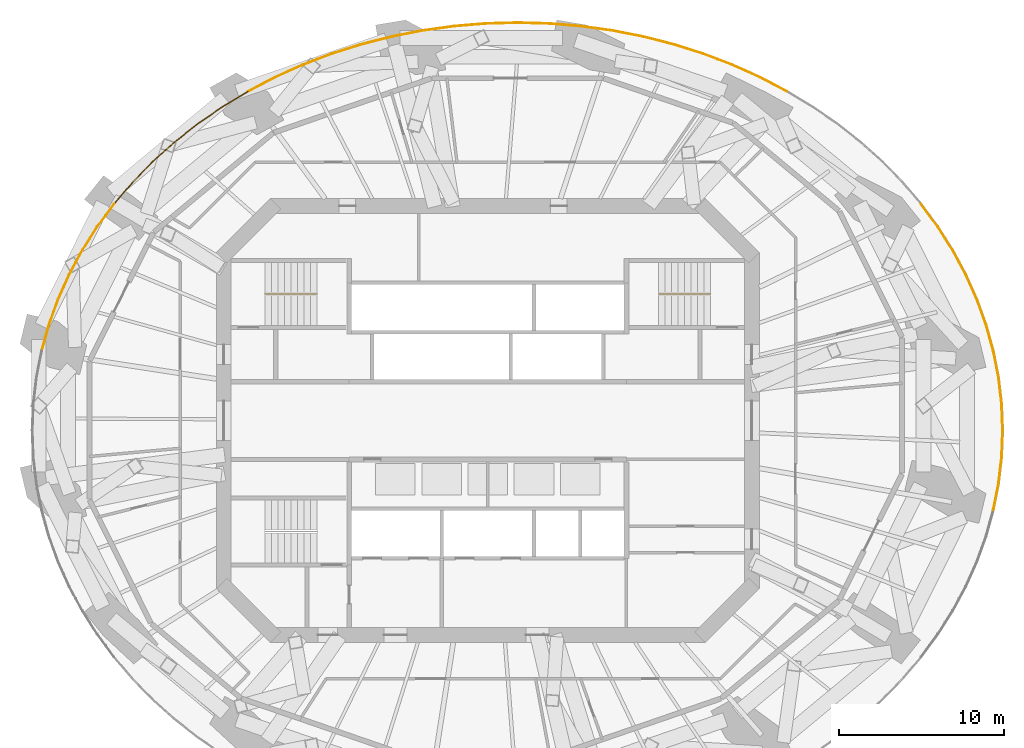
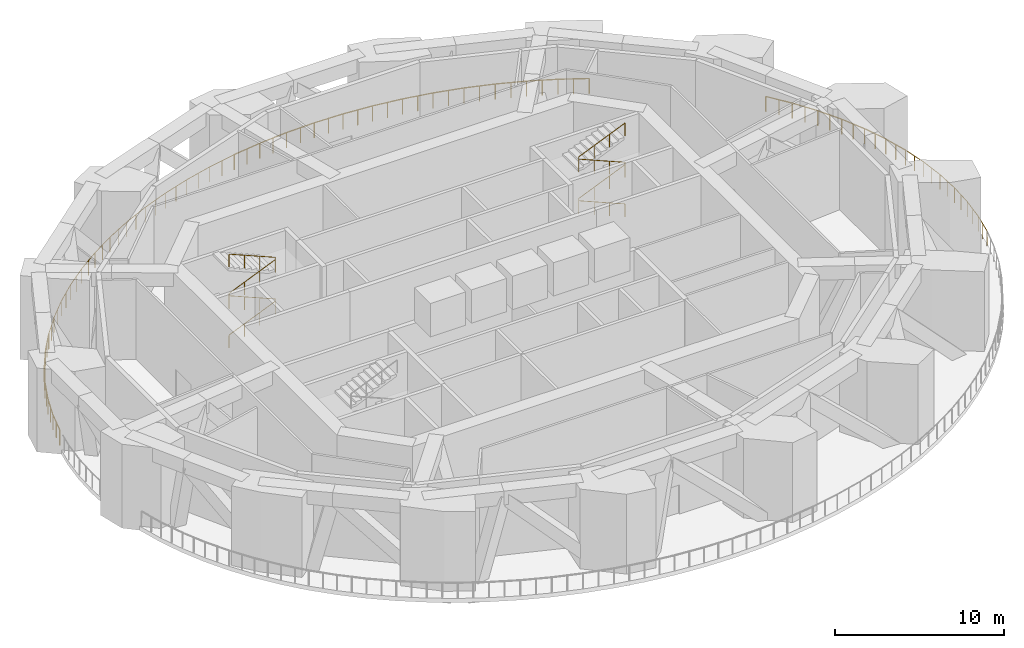
# One storey, part 9 of 11: 9 railings.
"""IFC4 building model written with IfcOpenShell, lengths in metres."""

from ifc_helpers import new_model, si_unit, direction, frame, origin, origin_2d, place, context, subcontext, project, spatial, circle, extrude, material, type_object, element, save


model = new_model("IFC4")

# Units and contexts
model_context = context("Model", 3, precision=1e-05, world=origin(), true_north=direction((0.0, 1.0)))
body_context = subcontext(model_context, "Body", "Model", "MODEL_VIEW")
ifc_project = project(units=[si_unit("LENGTHUNIT", "METRE"), si_unit("AREAUNIT", "SQUARE_METRE"), si_unit("VOLUMEUNIT", "CUBIC_METRE"), si_unit("PLANEANGLEUNIT", "RADIAN"), si_unit("MASSUNIT", "GRAM", prefix="KILO")], contexts=[model_context])

# Site, building, storey
site_placement = place(None, origin())
site = spatial("IfcSite", under=ifc_project, at=site_placement, CompositionType="ELEMENT")
building_placement = place(site_placement, origin())
building = spatial("IfcBuilding", under=site, at=building_placement, Name="Marenthal Gate Tower", CompositionType="ELEMENT")
storey_placement = place(building_placement, frame((0.0, 0.0, 273.10009765625)))
storey = spatial("IfcBuildingStorey", under=building, at=storey_placement, Name="L61", CompositionType="ELEMENT", Elevation=273.10009765625)

# Railings
ifc_material_1 = material(Name="Stainless steel", Category="steel")
railing_type_1 = type_object("IfcRailingType", Name="Balcony guard 1100", PredefinedType="GUARDRAIL", material=ifc_material_1)
railing_1_placement = place(storey_placement, frame((30.63671875, 4.217529296875, 0.0)))
element("IfcRailing", 1, at=railing_1_placement, inside=storey, type_object=railing_type_1, Name="Refuge band guard L61 bay 1", PredefinedType="GUARDRAIL", context=body_context, shape_type="SweptSolid", body=[
    extrude(circle(Radius=0.02392578125, at=origin_2d()), frame((0.0, 0.0, 1.076171875), z_axis=(-0.267289180293, 0.963616362511, 0.0), x_axis=(-0.963616362511, -0.267289180293, 0.0)), (0.0, 0.0, 1.0), 1.633056640625),
    extrude(circle(Radius=0.02392578125, at=origin_2d()), frame((-0.4365234375, 1.57373046875, 1.076171875), z_axis=(-0.339297797006, 0.940679012707, 0.0), x_axis=(-0.940679012707, -0.339297797006, 0.0)), (0.0, 0.0, 1.0), 1.64404296875),
    extrude(circle(Radius=0.02392578125, at=origin_2d()), frame((-0.994384765625, 3.120361328125, 1.076171875), z_axis=(-0.408624443933, 0.912702615215, 0.0), x_axis=(-0.912702615215, -0.408624443933, 0.0)), (0.0, 0.0, 1.0), 1.657470703125),
    extrude(circle(Radius=0.02392578125, at=origin_2d()), frame((-1.671630859375, 4.633056640625, 1.076171875), z_axis=(-0.474387041335, 0.880316383474, 0.0), x_axis=(-0.880316383474, -0.474387041335, 0.0)), (0.0, 0.0, 1.0), 1.672607421875),
    extrude(circle(Radius=0.02392578125, at=origin_2d()), frame((-2.465087890625, 6.10546875, 1.076171875), z_axis=(-0.536426580588, 0.843946991012, 0.0), x_axis=(-0.843946991012, -0.536426580588, 0.0)), (0.0, 0.0, 1.0), 1.689453125),
    extrude(circle(Radius=0.02392578125, at=origin_2d()), frame((-3.371337890625, 7.53125, 1.076171875), z_axis=(-0.594588012237, 0.804030531575, 0.0), x_axis=(-0.804030531575, -0.594588012237, 0.0)), (0.0, 0.0, 1.0), 1.707763671875),
    extrude(circle(Radius=0.02099609375, at=origin_2d()), origin(), (0.0, 0.0, 1.0), 1.052001953125),
    extrude(circle(Radius=0.02099609375, at=origin_2d()), frame((-0.21826171875, 0.786865234375, 0.0)), (0.0, 0.0, 1.0), 1.052001953125),
    extrude(circle(Radius=0.02099609375, at=origin_2d()), frame((-0.4365234375, 1.57373046875, 0.0)), (0.0, 0.0, 1.0), 1.052001953125),
    extrude(circle(Radius=0.02099609375, at=origin_2d()), frame((-0.71533203125, 2.34716796875, 0.0)), (0.0, 0.0, 1.0), 1.052001953125),
    extrude(circle(Radius=0.02099609375, at=origin_2d()), frame((-0.994384765625, 3.120361328125, 0.0)), (0.0, 0.0, 1.0), 1.052001953125),
    extrude(circle(Radius=0.02099609375, at=origin_2d()), frame((-1.3330078125, 3.876708984375, 0.0)), (0.0, 0.0, 1.0), 1.052001953125),
    extrude(circle(Radius=0.02099609375, at=origin_2d()), frame((-1.671630859375, 4.633056640625, 0.0)), (0.0, 0.0, 1.0), 1.052001953125),
    extrude(circle(Radius=0.02099609375, at=origin_2d()), frame((-2.068359375, 5.369140625, 0.0)), (0.0, 0.0, 1.0), 1.052001953125),
    extrude(circle(Radius=0.02099609375, at=origin_2d()), frame((-2.465087890625, 6.10546875, 0.0)), (0.0, 0.0, 1.0), 1.052001953125),
    extrude(circle(Radius=0.02099609375, at=origin_2d()), frame((-2.918212890625, 6.818359375, 0.0)), (0.0, 0.0, 1.0), 1.052001953125),
    extrude(circle(Radius=0.02099609375, at=origin_2d()), frame((-3.371337890625, 7.53125, 0.0)), (0.0, 0.0, 1.0), 1.052001953125),
    extrude(circle(Radius=0.02099609375, at=origin_2d()), frame((-3.87890625, 8.2177734375, 0.0)), (0.0, 0.0, 1.0), 1.052001953125),
    extrude(circle(Radius=0.02099609375, at=origin_2d()), frame((-4.38671875, 8.904296875, 0.0)), (0.0, 0.0, 1.0), 1.052001953125),
])
railing_2_placement = place(storey_placement, frame((18.1396484375, 19.940673828125, 0.0)))
element("IfcRailing", 2, at=railing_2_placement, inside=storey, type_object=railing_type_1, Name="Refuge band guard L61 bay 3", PredefinedType="GUARDRAIL", context=body_context, shape_type="SweptSolid", body=[
    extrude(circle(Radius=0.02392578125, at=origin_2d()), frame((0.0, 0.0, 1.076171875), z_axis=(-0.886204440457, 0.463294387742, 0.0), x_axis=(-0.463294387742, -0.886204440457, 0.0)), (0.0, 0.0, 1.0), 1.84375),
    extrude(circle(Radius=0.02392578125, at=origin_2d()), frame((-1.634033203125, 0.854248046875, 1.076171875), z_axis=(-0.912088359381, 0.409993688588, 0.0), x_axis=(-0.409993688588, -0.912088359381, 0.0)), (0.0, 0.0, 1.0), 1.86083984375),
    extrude(circle(Radius=0.02392578125, at=origin_2d()), frame((-3.331298828125, 1.6171875, 1.076171875), z_axis=(-0.93448154855, 0.356011566414, 0.0), x_axis=(-0.356011566414, -0.93448154855, 0.0)), (0.0, 0.0, 1.0), 1.87548828125),
    extrude(circle(Radius=0.02392578125, at=origin_2d()), frame((-5.083984375, 2.284912109375, 1.076171875), z_axis=(-0.95339303901, 0.30173119356, 0.0), x_axis=(-0.30173119356, -0.95339303901, 0.0)), (0.0, 0.0, 1.0), 1.889404296875),
    extrude(circle(Radius=0.02392578125, at=origin_2d()), frame((-6.88525390625, 2.85498046875, 1.076171875), z_axis=(-0.968983181571, 0.247126675682, 0.0), x_axis=(-0.247126675682, -0.968983181571, 0.0)), (0.0, 0.0, 1.0), 1.900634765625),
    extrude(circle(Radius=0.02392578125, at=origin_2d()), frame((-8.72705078125, 3.32470703125, 1.076171875), z_axis=(-0.981320847829, 0.192378256608, 0.0), x_axis=(-0.192378256608, -0.981320847829, 0.0)), (0.0, 0.0, 1.0), 1.909912109375),
    extrude(circle(Radius=0.02099609375, at=origin_2d()), origin(), (0.0, 0.0, 1.0), 1.052001953125),
    extrude(circle(Radius=0.02099609375, at=origin_2d()), frame((-0.81689453125, 0.42724609375, 0.0)), (0.0, 0.0, 1.0), 1.052001953125),
    extrude(circle(Radius=0.02099609375, at=origin_2d()), frame((-1.634033203125, 0.854248046875, 0.0)), (0.0, 0.0, 1.0), 1.052001953125),
    extrude(circle(Radius=0.02099609375, at=origin_2d()), frame((-2.482666015625, 1.23583984375, 0.0)), (0.0, 0.0, 1.0), 1.052001953125),
    extrude(circle(Radius=0.02099609375, at=origin_2d()), frame((-3.331298828125, 1.6171875, 0.0)), (0.0, 0.0, 1.0), 1.052001953125),
    extrude(circle(Radius=0.02099609375, at=origin_2d()), frame((-4.20751953125, 1.951171875, 0.0)), (0.0, 0.0, 1.0), 1.052001953125),
    extrude(circle(Radius=0.02099609375, at=origin_2d()), frame((-5.083984375, 2.284912109375, 0.0)), (0.0, 0.0, 1.0), 1.052001953125),
    extrude(circle(Radius=0.02099609375, at=origin_2d()), frame((-5.984619140625, 2.56982421875, 0.0)), (0.0, 0.0, 1.0), 1.052001953125),
    extrude(circle(Radius=0.02099609375, at=origin_2d()), frame((-6.88525390625, 2.85498046875, 0.0)), (0.0, 0.0, 1.0), 1.052001953125),
    extrude(circle(Radius=0.02099609375, at=origin_2d()), frame((-7.80615234375, 3.08984375, 0.0)), (0.0, 0.0, 1.0), 1.052001953125),
    extrude(circle(Radius=0.02099609375, at=origin_2d()), frame((-8.72705078125, 3.32470703125, 0.0)), (0.0, 0.0, 1.0), 1.052001953125),
    extrude(circle(Radius=0.02099609375, at=origin_2d()), frame((-9.6640625, 3.50830078125, 0.0)), (0.0, 0.0, 1.0), 1.052001953125),
    extrude(circle(Radius=0.02099609375, at=origin_2d()), frame((-10.601318359375, 3.692138671875, 0.0)), (0.0, 0.0, 1.0), 1.052001953125),
])
railing_3_placement = place(storey_placement, frame((7.538330078125, 23.6328125, 0.0)))
element("IfcRailing", 3, at=railing_3_placement, inside=storey, type_object=railing_type_1, Name="Refuge band guard L61 bay 4", PredefinedType="GUARDRAIL", context=body_context, shape_type="SweptSolid", body=[
    extrude(circle(Radius=0.02392578125, at=origin_2d()), frame((0.0, 0.0, 1.076171875), z_axis=(-0.990499500988, 0.137516321001, 0.0), x_axis=(-0.137516321001, -0.990499500988, 0.0)), (0.0, 0.0, 1.0), 1.91748046875),
    extrude(circle(Radius=0.02392578125, at=origin_2d()), frame((-1.899169921875, 0.263671875, 1.076171875), z_axis=(-0.996596379607, 0.082435769866, 0.0), x_axis=(-0.082435769866, -0.996596379607, 0.0)), (0.0, 0.0, 1.0), 1.922119140625),
    extrude(circle(Radius=0.02392578125, at=origin_2d()), frame((-3.814697265625, 0.422119140625, 1.076171875), z_axis=(-0.999620946697, 0.027531126467, 0.0), x_axis=(-0.027531126467, -0.999620946697, 0.0)), (0.0, 0.0, 1.0), 1.92431640625),
    extrude(circle(Radius=0.02392578125, at=origin_2d()), frame((-5.73828125, 0.47509765625, 1.076171875), z_axis=(-0.999621042843, -0.027527635317, 0.0), x_axis=(0.027527635317, -0.999621042843, 0.0)), (0.0, 0.0, 1.0), 1.924560546875),
    extrude(circle(Radius=0.02392578125, at=origin_2d()), frame((-7.662109375, 0.422119140625, 1.076171875), z_axis=(-0.996596379607, -0.082435769866, 0.0), x_axis=(0.082435769866, -0.996596379607, 0.0)), (0.0, 0.0, 1.0), 1.922119140625),
    extrude(circle(Radius=0.02392578125, at=origin_2d()), frame((-9.57763671875, 0.263671875, 1.076171875), z_axis=(-0.99049709263, -0.137533666758, 0.0), x_axis=(0.137533666758, -0.99049709263, 0.0)), (0.0, 0.0, 1.0), 1.917236328125),
    extrude(circle(Radius=0.02099609375, at=origin_2d()), origin(), (0.0, 0.0, 1.0), 1.052001953125),
    extrude(circle(Radius=0.02099609375, at=origin_2d()), frame((-0.94970703125, 0.1318359375, 0.0)), (0.0, 0.0, 1.0), 1.052001953125),
    extrude(circle(Radius=0.02099609375, at=origin_2d()), frame((-1.899169921875, 0.263671875, 0.0)), (0.0, 0.0, 1.0), 1.052001953125),
    extrude(circle(Radius=0.02099609375, at=origin_2d()), frame((-2.85693359375, 0.3427734375, 0.0)), (0.0, 0.0, 1.0), 1.052001953125),
    extrude(circle(Radius=0.02099609375, at=origin_2d()), frame((-3.814697265625, 0.422119140625, 0.0)), (0.0, 0.0, 1.0), 1.052001953125),
    extrude(circle(Radius=0.02099609375, at=origin_2d()), frame((-4.7763671875, 0.44873046875, 0.0)), (0.0, 0.0, 1.0), 1.052001953125),
    extrude(circle(Radius=0.02099609375, at=origin_2d()), frame((-5.73828125, 0.47509765625, 0.0)), (0.0, 0.0, 1.0), 1.052001953125),
    extrude(circle(Radius=0.02099609375, at=origin_2d()), frame((-6.7001953125, 0.44873046875, 0.0)), (0.0, 0.0, 1.0), 1.052001953125),
    extrude(circle(Radius=0.02099609375, at=origin_2d()), frame((-7.662109375, 0.422119140625, 0.0)), (0.0, 0.0, 1.0), 1.052001953125),
    extrude(circle(Radius=0.02099609375, at=origin_2d()), frame((-8.619873046875, 0.3427734375, 0.0)), (0.0, 0.0, 1.0), 1.052001953125),
    extrude(circle(Radius=0.02099609375, at=origin_2d()), frame((-9.57763671875, 0.263671875, 0.0)), (0.0, 0.0, 1.0), 1.052001953125),
    extrude(circle(Radius=0.02099609375, at=origin_2d()), frame((-10.527099609375, 0.1318359375, 0.0)), (0.0, 0.0, 1.0), 1.052001953125),
    extrude(circle(Radius=0.02099609375, at=origin_2d()), frame((-11.4765625, 0.0, 0.0)), (0.0, 0.0, 1.0), 1.052001953125),
])
railing_4_placement = place(storey_placement, frame((-3.938232421875, 23.6328125, 0.0)))
element("IfcRailing", 4, at=railing_4_placement, inside=storey, type_object=railing_type_1, Name="Refuge band guard L61 bay 5", PredefinedType="GUARDRAIL", context=body_context, shape_type="SweptSolid", body=[
    extrude(circle(Radius=0.02392578125, at=origin_2d()), frame((0.0, 0.0, 1.076171875), z_axis=(-0.981320847829, -0.192378256608, 0.0), x_axis=(0.192378256608, -0.981320847829, 0.0)), (0.0, 0.0, 1.0), 1.909912109375),
    extrude(circle(Radius=0.02392578125, at=origin_2d()), frame((-1.874267578125, -0.367431640625, 1.076171875), z_axis=(-0.968991024399, -0.247095921928, 0.0), x_axis=(0.247095921928, -0.968991024399, 0.0)), (0.0, 0.0, 1.0), 1.90087890625),
    extrude(circle(Radius=0.02392578125, at=origin_2d()), frame((-3.71630859375, -0.837158203125, 1.076171875), z_axis=(-0.953381272328, -0.301768370731, 0.0), x_axis=(0.301768370731, -0.953381272328, 0.0)), (0.0, 0.0, 1.0), 1.88916015625),
    extrude(circle(Radius=0.02392578125, at=origin_2d()), frame((-5.517333984375, -1.4072265625, 1.076171875), z_axis=(-0.93449804368, -0.355968265942, 0.0), x_axis=(0.355968265942, -0.93449804368, 0.0)), (0.0, 0.0, 1.0), 1.875732421875),
    extrude(circle(Radius=0.02392578125, at=origin_2d()), frame((-7.270263671875, -2.074951171875, 1.076171875), z_axis=(-0.91206630172, -0.410042755413, 0.0), x_axis=(0.410042755413, -0.91206630172, 0.0)), (0.0, 0.0, 1.0), 1.860595703125),
    extrude(circle(Radius=0.02392578125, at=origin_2d()), frame((-8.96728515625, -2.837890625, 1.076171875), z_axis=(-0.886204440457, -0.463294387742, 0.0), x_axis=(0.463294387742, -0.886204440457, 0.0)), (0.0, 0.0, 1.0), 1.84375),
    extrude(circle(Radius=0.02099609375, at=origin_2d()), origin(), (0.0, 0.0, 1.0), 1.052001953125),
    extrude(circle(Radius=0.02099609375, at=origin_2d()), frame((-0.93701171875, -0.18359375, 0.0)), (0.0, 0.0, 1.0), 1.052001953125),
    extrude(circle(Radius=0.02099609375, at=origin_2d()), frame((-1.874267578125, -0.367431640625, 0.0)), (0.0, 0.0, 1.0), 1.052001953125),
    extrude(circle(Radius=0.02099609375, at=origin_2d()), frame((-2.79541015625, -0.602294921875, 0.0)), (0.0, 0.0, 1.0), 1.052001953125),
    extrude(circle(Radius=0.02099609375, at=origin_2d()), frame((-3.71630859375, -0.837158203125, 0.0)), (0.0, 0.0, 1.0), 1.052001953125),
    extrude(circle(Radius=0.02099609375, at=origin_2d()), frame((-4.61669921875, -1.1220703125, 0.0)), (0.0, 0.0, 1.0), 1.052001953125),
    extrude(circle(Radius=0.02099609375, at=origin_2d()), frame((-5.517333984375, -1.4072265625, 0.0)), (0.0, 0.0, 1.0), 1.052001953125),
    extrude(circle(Radius=0.02099609375, at=origin_2d()), frame((-6.393798828125, -1.7412109375, 0.0)), (0.0, 0.0, 1.0), 1.052001953125),
    extrude(circle(Radius=0.02099609375, at=origin_2d()), frame((-7.270263671875, -2.074951171875, 0.0)), (0.0, 0.0, 1.0), 1.052001953125),
    extrude(circle(Radius=0.02099609375, at=origin_2d()), frame((-8.11865234375, -2.45654296875, 0.0)), (0.0, 0.0, 1.0), 1.052001953125),
    extrude(circle(Radius=0.02099609375, at=origin_2d()), frame((-8.96728515625, -2.837890625, 0.0)), (0.0, 0.0, 1.0), 1.052001953125),
    extrude(circle(Radius=0.02099609375, at=origin_2d()), frame((-9.7841796875, -3.26513671875, 0.0)), (0.0, 0.0, 1.0), 1.052001953125),
    extrude(circle(Radius=0.02099609375, at=origin_2d()), frame((-10.601318359375, -3.692138671875, 0.0)), (0.0, 0.0, 1.0), 1.052001953125),
])
railing_5_placement = place(storey_placement, frame((-14.53955078125, 19.940673828125, 0.0)))
element("IfcRailing", 5, at=railing_5_placement, inside=storey, type_object=railing_type_1, Name="Refuge band guard L61 bay 6", PredefinedType="GUARDRAIL", context=body_context, shape_type="SweptSolid", body=[
    extrude(circle(Radius=0.02392578125, at=origin_2d()), frame((0.0, 0.0, 1.076171875), z_axis=(-0.856524003828, -0.516107189319, 0.0), x_axis=(0.516107189319, -0.856524003828, 0.0)), (0.0, 0.0, 1.0), 1.825927734375),
    extrude(circle(Radius=0.02392578125, at=origin_2d()), frame((-1.56396484375, -0.9423828125, 1.076171875), z_axis=(-0.82311043045, -0.56788134261, 0.0), x_axis=(0.56788134261, -0.82311043045, 0.0)), (0.0, 0.0, 1.0), 1.806884765625),
    extrude(circle(Radius=0.02392578125, at=origin_2d()), frame((-3.05126953125, -1.968505859375, 1.076171875), z_axis=(-0.785578204903, -0.618762380871, 0.0), x_axis=(0.618762380871, -0.785578204903, 0.0)), (0.0, 0.0, 1.0), 1.786865234375),
    extrude(circle(Radius=0.02392578125, at=origin_2d()), frame((-4.455078125, -3.07421875, 1.076171875), z_axis=(-0.744145420954, -0.668017658803, 0.0), x_axis=(0.668017658803, -0.744145420954, 0.0)), (0.0, 0.0, 1.0), 1.76708984375),
    extrude(circle(Radius=0.02392578125, at=origin_2d()), frame((-5.77001953125, -4.254638671875, 1.076171875), z_axis=(-0.698529909083, -0.715580859244, 0.0), x_axis=(0.715580859244, -0.698529909083, 0.0)), (0.0, 0.0, 1.0), 1.746826171875),
    extrude(circle(Radius=0.02392578125, at=origin_2d()), frame((-6.990234375, -5.504638671875, 1.076171875), z_axis=(-0.648669742199, -0.76107001357, 0.0), x_axis=(0.76107001357, -0.648669742199, 0.0)), (0.0, 0.0, 1.0), 1.726806640625),
    extrude(circle(Radius=0.02099609375, at=origin_2d()), origin(), (0.0, 0.0, 1.0), 1.052001953125),
    extrude(circle(Radius=0.02099609375, at=origin_2d()), frame((-0.781982421875, -0.47119140625, 0.0)), (0.0, 0.0, 1.0), 1.052001953125),
    extrude(circle(Radius=0.02099609375, at=origin_2d()), frame((-1.56396484375, -0.9423828125, 0.0)), (0.0, 0.0, 1.0), 1.052001953125),
    extrude(circle(Radius=0.02099609375, at=origin_2d()), frame((-2.3076171875, -1.45556640625, 0.0)), (0.0, 0.0, 1.0), 1.052001953125),
    extrude(circle(Radius=0.02099609375, at=origin_2d()), frame((-3.05126953125, -1.968505859375, 0.0)), (0.0, 0.0, 1.0), 1.052001953125),
    extrude(circle(Radius=0.02099609375, at=origin_2d()), frame((-3.753173828125, -2.521484375, 0.0)), (0.0, 0.0, 1.0), 1.052001953125),
    extrude(circle(Radius=0.02099609375, at=origin_2d()), frame((-4.455078125, -3.07421875, 0.0)), (0.0, 0.0, 1.0), 1.052001953125),
    extrude(circle(Radius=0.02099609375, at=origin_2d()), frame((-5.112548828125, -3.66455078125, 0.0)), (0.0, 0.0, 1.0), 1.052001953125),
    extrude(circle(Radius=0.02099609375, at=origin_2d()), frame((-5.77001953125, -4.254638671875, 0.0)), (0.0, 0.0, 1.0), 1.052001953125),
    extrude(circle(Radius=0.02099609375, at=origin_2d()), frame((-6.380126953125, -4.879638671875, 0.0)), (0.0, 0.0, 1.0), 1.052001953125),
    extrude(circle(Radius=0.02099609375, at=origin_2d()), frame((-6.990234375, -5.504638671875, 0.0)), (0.0, 0.0, 1.0), 1.052001953125),
    extrude(circle(Radius=0.02099609375, at=origin_2d()), frame((-7.55029296875, -6.16162109375, 0.0)), (0.0, 0.0, 1.0), 1.052001953125),
    extrude(circle(Radius=0.02099609375, at=origin_2d()), frame((-8.1103515625, -6.81884765625, 0.0)), (0.0, 0.0, 1.0), 1.052001953125),
])
railing_6_placement = place(storey_placement, frame((-22.64990234375, 13.121826171875, 0.0)))
element("IfcRailing", 6, at=railing_6_placement, inside=storey, type_object=railing_type_1, Name="Refuge band guard L61 bay 7", PredefinedType="GUARDRAIL", context=body_context, shape_type="SweptSolid", body=[
    extrude(circle(Radius=0.02392578125, at=origin_2d()), frame((0.0, 0.0, 1.076171875), z_axis=(-0.594588012237, -0.804030531575, 0.0), x_axis=(0.804030531575, -0.594588012237, 0.0)), (0.0, 0.0, 1.0), 1.707763671875),
    extrude(circle(Radius=0.02392578125, at=origin_2d()), frame((-1.015380859375, -1.373046875, 1.076171875), z_axis=(-0.536529496413, -0.843881567211, 0.0), x_axis=(0.843881567211, -0.536529496413, 0.0)), (0.0, 0.0, 1.0), 1.689453125),
    extrude(circle(Radius=0.02392578125, at=origin_2d()), frame((-1.921875, -2.798828125, 1.076171875), z_axis=(-0.474387041335, -0.880316383474, 0.0), x_axis=(0.880316383474, -0.474387041335, 0.0)), (0.0, 0.0, 1.0), 1.672607421875),
    extrude(circle(Radius=0.02392578125, at=origin_2d()), frame((-2.71533203125, -4.271240234375, 1.076171875), z_axis=(-0.408501723837, -0.912757548105, 0.0), x_axis=(0.912757548105, -0.408501723837, 0.0)), (0.0, 0.0, 1.0), 1.6572265625),
    extrude(circle(Radius=0.02392578125, at=origin_2d()), frame((-3.392333984375, -5.783935546875, 1.076171875), z_axis=(-0.339429181745, -0.940631612578, 0.0), x_axis=(0.940631612578, -0.339429181745, 0.0)), (0.0, 0.0, 1.0), 1.644287109375),
    extrude(circle(Radius=0.02392578125, at=origin_2d()), frame((-3.950439453125, -7.33056640625, 1.076171875), z_axis=(-0.267150361513, -0.963654857479, 0.0), x_axis=(0.963654857479, -0.267150361513, 0.0)), (0.0, 0.0, 1.0), 1.633056640625),
    extrude(circle(Radius=0.02099609375, at=origin_2d()), origin(), (0.0, 0.0, 1.0), 1.052001953125),
    extrude(circle(Radius=0.02099609375, at=origin_2d()), frame((-0.5078125, -0.6865234375, 0.0)), (0.0, 0.0, 1.0), 1.052001953125),
    extrude(circle(Radius=0.02099609375, at=origin_2d()), frame((-1.015380859375, -1.373046875, 0.0)), (0.0, 0.0, 1.0), 1.052001953125),
    extrude(circle(Radius=0.02099609375, at=origin_2d()), frame((-1.46875, -2.0859375, 0.0)), (0.0, 0.0, 1.0), 1.052001953125),
    extrude(circle(Radius=0.02099609375, at=origin_2d()), frame((-1.921875, -2.798828125, 0.0)), (0.0, 0.0, 1.0), 1.052001953125),
    extrude(circle(Radius=0.02099609375, at=origin_2d()), frame((-2.318603515625, -3.53515625, 0.0)), (0.0, 0.0, 1.0), 1.052001953125),
    extrude(circle(Radius=0.02099609375, at=origin_2d()), frame((-2.71533203125, -4.271240234375, 0.0)), (0.0, 0.0, 1.0), 1.052001953125),
    extrude(circle(Radius=0.02099609375, at=origin_2d()), frame((-3.0537109375, -5.027587890625, 0.0)), (0.0, 0.0, 1.0), 1.052001953125),
    extrude(circle(Radius=0.02099609375, at=origin_2d()), frame((-3.392333984375, -5.783935546875, 0.0)), (0.0, 0.0, 1.0), 1.052001953125),
    extrude(circle(Radius=0.02099609375, at=origin_2d()), frame((-3.67138671875, -6.55712890625, 0.0)), (0.0, 0.0, 1.0), 1.052001953125),
    extrude(circle(Radius=0.02099609375, at=origin_2d()), frame((-3.950439453125, -7.33056640625, 0.0)), (0.0, 0.0, 1.0), 1.052001953125),
    extrude(circle(Radius=0.02099609375, at=origin_2d()), frame((-4.16845703125, -8.117431640625, 0.0)), (0.0, 0.0, 1.0), 1.052001953125),
    extrude(circle(Radius=0.02099609375, at=origin_2d()), frame((-4.38671875, -8.904296875, 0.0)), (0.0, 0.0, 1.0), 1.052001953125),
])
railing_7_placement = place(storey_placement, frame((30.63671875, -5.41748046875, 0.0)))
element("IfcRailing", 7, at=railing_7_placement, inside=storey, type_object=railing_type_1, Name="Refuge band guard L61 bay 16", PredefinedType="GUARDRAIL", context=body_context, shape_type="SweptSolid", body=[
    extrude(circle(Radius=0.02392578125, at=origin_2d()), frame((0.0, 0.0, 1.076171875), z_axis=(0.19264712186, 0.981268101203, 0.0), x_axis=(-0.981268101203, 0.19264712186, 0.0)), (0.0, 0.0, 1.0), 1.624755859375),
    extrude(circle(Radius=0.02392578125, at=origin_2d()), frame((0.31298828125, 1.59423828125, 1.076171875), z_axis=(0.116403813638, 0.993201969476, 0.0), x_axis=(-0.993201969476, 0.116403813638, 0.0)), (0.0, 0.0, 1.0), 1.619140625),
    extrude(circle(Radius=0.02392578125, at=origin_2d()), frame((0.50146484375, 3.202392578125, 1.076171875), z_axis=(0.038821808074, 0.999246149464, 0.0), x_axis=(-0.999246149464, 0.038821808074, 0.0)), (0.0, 0.0, 1.0), 1.6162109375),
    extrude(circle(Radius=0.02392578125, at=origin_2d()), frame((0.564208984375, 4.8173828125, 1.076171875), z_axis=(-0.038821808074, 0.999246149464, 0.0), x_axis=(-0.999246149464, -0.038821808074, 0.0)), (0.0, 0.0, 1.0), 1.6162109375),
    extrude(circle(Radius=0.02392578125, at=origin_2d()), frame((0.50146484375, 6.432373046875, 1.076171875), z_axis=(-0.116403813638, 0.993201969476, 0.0), x_axis=(-0.993201969476, -0.116403813638, 0.0)), (0.0, 0.0, 1.0), 1.619140625),
    extrude(circle(Radius=0.02392578125, at=origin_2d()), frame((0.31298828125, 8.04052734375, 1.076171875), z_axis=(-0.192618719011, 0.981273676956, 0.0), x_axis=(-0.981273676956, -0.192618719011, 0.0)), (0.0, 0.0, 1.0), 1.625),
    extrude(circle(Radius=0.02099609375, at=origin_2d()), origin(), (0.0, 0.0, 1.0), 1.052001953125),
    extrude(circle(Radius=0.02099609375, at=origin_2d()), frame((0.156494140625, 0.797119140625, 0.0)), (0.0, 0.0, 1.0), 1.052001953125),
    extrude(circle(Radius=0.02099609375, at=origin_2d()), frame((0.31298828125, 1.59423828125, 0.0)), (0.0, 0.0, 1.0), 1.052001953125),
    extrude(circle(Radius=0.02099609375, at=origin_2d()), frame((0.4072265625, 2.3984375, 0.0)), (0.0, 0.0, 1.0), 1.052001953125),
    extrude(circle(Radius=0.02099609375, at=origin_2d()), frame((0.50146484375, 3.202392578125, 0.0)), (0.0, 0.0, 1.0), 1.052001953125),
    extrude(circle(Radius=0.02099609375, at=origin_2d()), frame((0.53271484375, 4.009765625, 0.0)), (0.0, 0.0, 1.0), 1.052001953125),
    extrude(circle(Radius=0.02099609375, at=origin_2d()), frame((0.564208984375, 4.8173828125, 0.0)), (0.0, 0.0, 1.0), 1.052001953125),
    extrude(circle(Radius=0.02099609375, at=origin_2d()), frame((0.53271484375, 5.625, 0.0)), (0.0, 0.0, 1.0), 1.052001953125),
    extrude(circle(Radius=0.02099609375, at=origin_2d()), frame((0.50146484375, 6.432373046875, 0.0)), (0.0, 0.0, 1.0), 1.052001953125),
    extrude(circle(Radius=0.02099609375, at=origin_2d()), frame((0.4072265625, 7.236328125, 0.0)), (0.0, 0.0, 1.0), 1.052001953125),
    extrude(circle(Radius=0.02099609375, at=origin_2d()), frame((0.31298828125, 8.04052734375, 0.0)), (0.0, 0.0, 1.0), 1.052001953125),
    extrude(circle(Radius=0.02099609375, at=origin_2d()), frame((0.156494140625, 8.837890625, 0.0)), (0.0, 0.0, 1.0), 1.052001953125),
    extrude(circle(Radius=0.02099609375, at=origin_2d()), frame((0.0, 9.635009765625, 0.0)), (0.0, 0.0, 1.0), 1.052001953125),
])
ifc_material_2 = material(Name="Stainless steel", Category="steel")
railing_type_2 = type_object("IfcRailingType", Name="Stair handrail", PredefinedType="HANDRAIL", material=ifc_material_2)
railing_8_placement = place(storey_placement, frame((-13.5, 7.675048828125, 0.16650390625)))
element("IfcRailing", 8, at=railing_8_placement, inside=storey, type_object=railing_type_2, Name="Handrail ST1", PredefinedType="HANDRAIL", context=body_context, shape_type="SweptSolid", body=[
    extrude(circle(Radius=0.0224609375, at=origin_2d()), frame((0.0, 0.0, 0.927490234375), z_axis=(0.920867719543, 0.0, 0.389875163487), x_axis=(0.0, 1.0, 0.0)), (0.0, 0.0, 1.0), 3.42041015625),
    extrude(circle(Radius=0.0224609375, at=origin_2d()), frame((3.149658203125, 0.0, 2.260986328125), z_axis=(0.0, 0.0, 1.0), x_axis=(1.0, 0.0, 0.0)), (0.0, 0.0, 1.0), 0.16650390625),
    extrude(circle(Radius=0.0224609375, at=origin_2d()), frame((3.149658203125, 0.0, 2.427490234375), z_axis=(-0.920867719543, 0.0, 0.389875163487), x_axis=(0.0, -1.0, 0.0)), (0.0, 0.0, 1.0), 3.42041015625),
    extrude(circle(Radius=0.0224609375, at=origin_2d()), frame((0.0, 0.0, 3.760986328125), z_axis=(0.0, 0.0, 1.0), x_axis=(1.0, 0.0, 0.0)), (0.0, 0.0, 1.0), 0.16650390625),
    extrude(circle(Radius=0.0224609375, at=origin_2d()), frame((0.0, 0.0, 3.927490234375), z_axis=(0.920867719543, 0.0, 0.389875163487), x_axis=(0.0, 1.0, 0.0)), (0.0, 0.0, 1.0), 3.42041015625),
    extrude(circle(Radius=0.0224609375, at=origin_2d()), frame((3.149658203125, 0.0, 5.260986328125), z_axis=(0.0, 0.0, 1.0), x_axis=(1.0, 0.0, 0.0)), (0.0, 0.0, 1.0), 0.16650390625),
    extrude(circle(Radius=0.0224609375, at=origin_2d()), frame((3.149658203125, 0.0, 5.427490234375), z_axis=(-0.920867719543, 0.0, 0.389875163487), x_axis=(0.0, -1.0, 0.0)), (0.0, 0.0, 1.0), 3.42041015625),
    extrude(circle(Radius=0.02001953125, at=origin_2d()), origin(), (0.0, 0.0, 1.0), 0.905029296875),
    extrude(circle(Radius=0.02001953125, at=origin_2d()), frame((1.0498046875, 0.0, 0.444580078125)), (0.0, 0.0, 1.0), 0.905029296875),
    extrude(circle(Radius=0.02001953125, at=origin_2d()), frame((2.099853515625, 0.0, 0.888916015625)), (0.0, 0.0, 1.0), 0.905029296875),
    extrude(circle(Radius=0.02001953125, at=origin_2d()), frame((3.149658203125, 0.0, 1.33349609375)), (0.0, 0.0, 1.0), 0.905029296875),
    extrude(circle(Radius=0.02001953125, at=origin_2d()), frame((3.149658203125, 0.0, 1.5)), (0.0, 0.0, 1.0), 0.905029296875),
    extrude(circle(Radius=0.02001953125, at=origin_2d()), frame((2.099853515625, 0.0, 1.944580078125)), (0.0, 0.0, 1.0), 0.905029296875),
    extrude(circle(Radius=0.02001953125, at=origin_2d()), frame((1.0498046875, 0.0, 2.388916015625)), (0.0, 0.0, 1.0), 0.905029296875),
    extrude(circle(Radius=0.02001953125, at=origin_2d()), frame((0.0, 0.0, 2.83349609375)), (0.0, 0.0, 1.0), 0.905029296875),
    extrude(circle(Radius=0.02001953125, at=origin_2d()), frame((0.0, 0.0, 3.0)), (0.0, 0.0, 1.0), 0.905029296875),
    extrude(circle(Radius=0.02001953125, at=origin_2d()), frame((1.0498046875, 0.0, 3.444580078125)), (0.0, 0.0, 1.0), 0.905029296875),
    extrude(circle(Radius=0.02001953125, at=origin_2d()), frame((2.099853515625, 0.0, 3.888916015625)), (0.0, 0.0, 1.0), 0.905029296875),
    extrude(circle(Radius=0.02001953125, at=origin_2d()), frame((3.149658203125, 0.0, 4.33349609375)), (0.0, 0.0, 1.0), 0.905029296875),
    extrude(circle(Radius=0.02001953125, at=origin_2d()), frame((3.149658203125, 0.0, 4.5)), (0.0, 0.0, 1.0), 0.905029296875),
    extrude(circle(Radius=0.02001953125, at=origin_2d()), frame((2.099853515625, 0.0, 4.944580078125)), (0.0, 0.0, 1.0), 0.905029296875),
    extrude(circle(Radius=0.02001953125, at=origin_2d()), frame((1.0498046875, 0.0, 5.388916015625)), (0.0, 0.0, 1.0), 0.905029296875),
    extrude(circle(Radius=0.02001953125, at=origin_2d()), frame((0.0, 0.0, 5.83349609375)), (0.0, 0.0, 1.0), 0.905029296875),
])
railing_9_placement = place(storey_placement, frame((13.5, 7.675048828125, 0.16650390625)))
element("IfcRailing", 9, at=railing_9_placement, inside=storey, type_object=railing_type_2, Name="Handrail ST3", PredefinedType="HANDRAIL", context=body_context, shape_type="SweptSolid", body=[
    extrude(circle(Radius=0.0224609375, at=origin_2d()), frame((0.0, 0.0, 0.927490234375), z_axis=(-0.920867719543, 0.0, 0.389875163487), x_axis=(0.0, -1.0, 0.0)), (0.0, 0.0, 1.0), 3.42041015625),
    extrude(circle(Radius=0.0224609375, at=origin_2d()), frame((-3.149658203125, 0.0, 2.260986328125), z_axis=(0.0, 0.0, 1.0), x_axis=(1.0, 0.0, 0.0)), (0.0, 0.0, 1.0), 0.16650390625),
    extrude(circle(Radius=0.0224609375, at=origin_2d()), frame((-3.149658203125, 0.0, 2.427490234375), z_axis=(0.920867719543, 0.0, 0.389875163487), x_axis=(0.0, 1.0, 0.0)), (0.0, 0.0, 1.0), 3.42041015625),
    extrude(circle(Radius=0.0224609375, at=origin_2d()), frame((0.0, 0.0, 3.760986328125), z_axis=(0.0, 0.0, 1.0), x_axis=(1.0, 0.0, 0.0)), (0.0, 0.0, 1.0), 0.16650390625),
    extrude(circle(Radius=0.0224609375, at=origin_2d()), frame((0.0, 0.0, 3.927490234375), z_axis=(-0.920867719543, 0.0, 0.389875163487), x_axis=(0.0, -1.0, 0.0)), (0.0, 0.0, 1.0), 3.42041015625),
    extrude(circle(Radius=0.0224609375, at=origin_2d()), frame((-3.149658203125, 0.0, 5.260986328125), z_axis=(0.0, 0.0, 1.0), x_axis=(1.0, 0.0, 0.0)), (0.0, 0.0, 1.0), 0.16650390625),
    extrude(circle(Radius=0.0224609375, at=origin_2d()), frame((-3.149658203125, 0.0, 5.427490234375), z_axis=(0.920867719543, 0.0, 0.389875163487), x_axis=(0.0, 1.0, 0.0)), (0.0, 0.0, 1.0), 3.42041015625),
    extrude(circle(Radius=0.02001953125, at=origin_2d()), origin(), (0.0, 0.0, 1.0), 0.905029296875),
    extrude(circle(Radius=0.02001953125, at=origin_2d()), frame((-1.0498046875, 0.0, 0.444580078125)), (0.0, 0.0, 1.0), 0.905029296875),
    extrude(circle(Radius=0.02001953125, at=origin_2d()), frame((-2.099853515625, 0.0, 0.888916015625)), (0.0, 0.0, 1.0), 0.905029296875),
    extrude(circle(Radius=0.02001953125, at=origin_2d()), frame((-3.149658203125, 0.0, 1.33349609375)), (0.0, 0.0, 1.0), 0.905029296875),
    extrude(circle(Radius=0.02001953125, at=origin_2d()), frame((-3.149658203125, 0.0, 1.5)), (0.0, 0.0, 1.0), 0.905029296875),
    extrude(circle(Radius=0.02001953125, at=origin_2d()), frame((-2.099853515625, 0.0, 1.944580078125)), (0.0, 0.0, 1.0), 0.905029296875),
    extrude(circle(Radius=0.02001953125, at=origin_2d()), frame((-1.0498046875, 0.0, 2.388916015625)), (0.0, 0.0, 1.0), 0.905029296875),
    extrude(circle(Radius=0.02001953125, at=origin_2d()), frame((0.0, 0.0, 2.83349609375)), (0.0, 0.0, 1.0), 0.905029296875),
    extrude(circle(Radius=0.02001953125, at=origin_2d()), frame((0.0, 0.0, 3.0)), (0.0, 0.0, 1.0), 0.905029296875),
    extrude(circle(Radius=0.02001953125, at=origin_2d()), frame((-1.0498046875, 0.0, 3.444580078125)), (0.0, 0.0, 1.0), 0.905029296875),
    extrude(circle(Radius=0.02001953125, at=origin_2d()), frame((-2.099853515625, 0.0, 3.888916015625)), (0.0, 0.0, 1.0), 0.905029296875),
    extrude(circle(Radius=0.02001953125, at=origin_2d()), frame((-3.149658203125, 0.0, 4.33349609375)), (0.0, 0.0, 1.0), 0.905029296875),
    extrude(circle(Radius=0.02001953125, at=origin_2d()), frame((-3.149658203125, 0.0, 4.5)), (0.0, 0.0, 1.0), 0.905029296875),
    extrude(circle(Radius=0.02001953125, at=origin_2d()), frame((-2.099853515625, 0.0, 4.944580078125)), (0.0, 0.0, 1.0), 0.905029296875),
    extrude(circle(Radius=0.02001953125, at=origin_2d()), frame((-1.0498046875, 0.0, 5.388916015625)), (0.0, 0.0, 1.0), 0.905029296875),
    extrude(circle(Radius=0.02001953125, at=origin_2d()), frame((0.0, 0.0, 5.83349609375)), (0.0, 0.0, 1.0), 0.905029296875),
])

save(model, "model.ifc")
